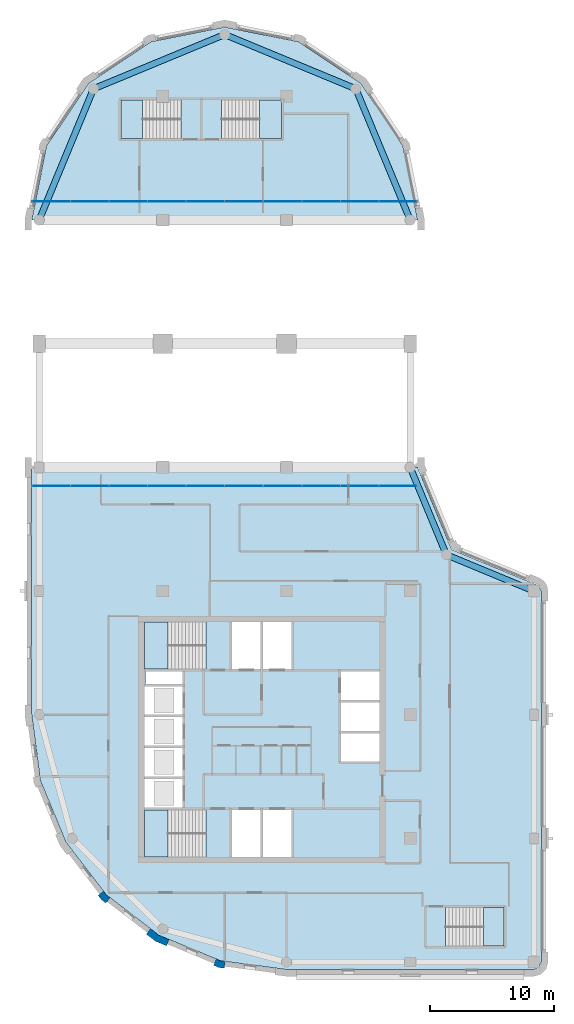
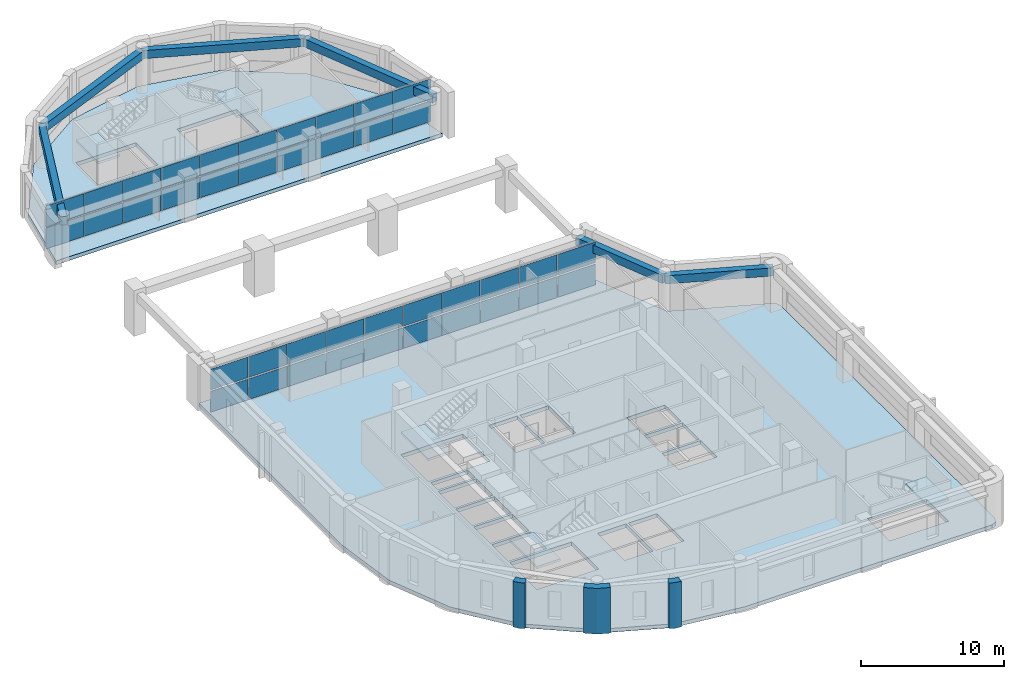
# One storey, part 4 of 11: 40 plates, 7 slabs, 6 beams, 3 walls, 7 elements without a shape of their own.
"""IFC4 building model written with IfcOpenShell, lengths in metres."""

from ifc_helpers import new_model, si_unit, direction, frame, origin, origin_2d, place, context, subcontext, project, spatial, polyline, rectangle, outline, extrude, material, layer, layer_set, material_profile, profile_set, type_object, element, aggregate, save


model = new_model("IFC4")

# Units and contexts
model_context = context("Model", 3, precision=1e-05, world=origin(), true_north=direction((0.0, 1.0)))
body_context = subcontext(model_context, "Body", "Model", "MODEL_VIEW")
ifc_project = project(units=[si_unit("LENGTHUNIT", "METRE"), si_unit("AREAUNIT", "SQUARE_METRE"), si_unit("VOLUMEUNIT", "CUBIC_METRE"), si_unit("PLANEANGLEUNIT", "RADIAN"), si_unit("MASSUNIT", "GRAM", prefix="KILO")], contexts=[model_context])

# Site, building, storey
site_placement = place(None, origin())
site = spatial("IfcSite", under=ifc_project, at=site_placement, CompositionType="ELEMENT")
building_placement = place(site_placement, origin())
building = spatial("IfcBuilding", under=site, at=building_placement, Name="Qaws Garden Tower", CompositionType="ELEMENT")
storey_placement = place(building_placement, frame((0.0, 0.0, 321.60009765625)))
storey = spatial("IfcBuildingStorey", under=building, at=storey_placement, Name="L78", CompositionType="ELEMENT", Elevation=321.60009765625)

# Beams
ifc_material_1 = material(Name="Concrete C45", Category="concrete")
ifc_material_profile = material_profile(ifc_material_1, rectangle(XDim=0.5, YDim=0.699951171875, at=origin_2d()), Name="RC 500x700")
ifc_profile_set = profile_set([ifc_material_profile], Name="Concrete C45")
beam_type = type_object("IfcBeamType", Name="Spandrel beam RC 500x700 C45", PredefinedType="SPANDREL", material=ifc_profile_set)
for number, where, z_axis, x_axis, name in (
    (1, (40.0, 30.0, 3.22998046875), (-0.923878037141, 0.382687042488, 0.0), (-0.382687042488, -0.923878037141, 0.0), "Spandrel beam L78-006"),
    (2, (32.928955078125, 32.928955078125, 3.22998046875), (-0.382687042488, 0.923878037141, 0.0), (-0.923878037141, -0.382687042488, 0.0), "Spandrel beam L78-007"),
):
    element("IfcBeam", number, at=place(storey_placement, frame(where, z_axis=z_axis, x_axis=x_axis)), inside=storey, type_object=beam_type, Name=name, PredefinedType="SPANDREL", context=body_context, shape_type="SweptSolid", body=[
        extrude(rectangle(XDim=0.5, YDim=0.699951171875, at=origin_2d()), origin(), (0.0, 0.0, 1.0), 7.653564453125),
    ])
for number, where, z_axis, x_axis, name in (
    (3, (30.0, 60.0, 3.22998046875), (-0.382674207535, 0.923883353507, 0.0), (-0.923883353507, -0.382674207535, 0.0), "Spandrel beam L78-009"),
    (4, (25.606689453125, 70.606689453125, 3.22998046875), (-0.923883353507, 0.382674207535, 0.0), (-0.382674207535, -0.923883353507, 0.0), "Spandrel beam L78-010"),
    (5, (15.0, 75.0, 3.22998046875), (-0.923883353507, -0.382674207535, 0.0), (0.382674207535, -0.923883353507, 0.0), "Spandrel beam L78-011"),
    (6, (4.393310546875, 70.606689453125, 3.22998046875), (-0.382674207535, -0.923883353507, 0.0), (0.923883353507, -0.382674207535, 0.0), "Spandrel beam L78-012"),
):
    element("IfcBeam", number, at=place(storey_placement, frame(where, z_axis=z_axis, x_axis=x_axis)), inside=storey, type_object=beam_type, Name=name, PredefinedType="SPANDREL", context=body_context, shape_type="SweptSolid", body=[
        extrude(rectangle(XDim=0.5, YDim=0.699951171875, at=origin_2d()), origin(), (0.0, 0.0, 1.0), 11.48046875),
    ])

# Curtain wall, plates
ifc_material_2 = material(Name="Anodised aluminium curtain wall frame", Category="aluminium")
ifc_layer_1 = layer(ifc_material_2, 0.159912109375)
ifc_layer_set_1 = layer_set([ifc_layer_1], Name="Anodised aluminium curtain wall frame")
curtain_wall_type = type_object("IfcCurtainWallType", Name="CW5 portal screen curtain wall", PredefinedType="NOTDEFINED", material=ifc_layer_set_1)
placement_1 = place(storey_placement, origin())
curtain_wall_1 = element("IfcCurtainWall", 7, at=placement_1, inside=storey, type_object=curtain_wall_type, Name="CW5 Portal screen 0", PredefinedType="NOTDEFINED")
ifc_material_3 = material(Name="Clear laminated glass", Category="glass")
ifc_layer_2 = layer(ifc_material_3, 0.031982421875)
ifc_layer_set_2 = layer_set([ifc_layer_2], Name="Clear laminated glass")
plate_type = type_object("IfcPlateType", Name="CW5 glass panel 32", PredefinedType="CURTAIN_PANEL", material=ifc_layer_set_2)
plate_1_placement = place(storey_placement, frame((0.972412109375, 38.5, 0.119873046875), z_axis=(0.0, 0.0, 1.0), x_axis=(1.0, 0.0, 0.0)))
plate_1 = element("IfcPlate", 8, at=plate_1_placement, type_object=plate_type, Name="CW5 panel 1.1", PredefinedType="CURTAIN_PANEL", context=body_context, shape_type="SweptSolid", body=[
    extrude(rectangle(XDim=3.044921875, YDim=0.031982421875, at=origin_2d()), origin(), (0.0, 0.0, 1.0), 1.77001953125),
])
plate_2_placement = place(storey_placement, frame((0.972412109375, 38.5, 2.010009765625), z_axis=(0.0, 0.0, 1.0), x_axis=(1.0, 0.0, 0.0)))
plate_2 = element("IfcPlate", 9, at=plate_2_placement, type_object=plate_type, Name="CW5 panel 1.2", PredefinedType="CURTAIN_PANEL", context=body_context, shape_type="SweptSolid", body=[
    extrude(rectangle(XDim=3.044921875, YDim=0.031982421875, at=origin_2d()), origin(), (0.0, 0.0, 1.0), 1.77001953125),
])
plate_3_placement = place(storey_placement, frame((4.080078125, 38.5, 0.119873046875), z_axis=(0.0, 0.0, 1.0), x_axis=(1.0, 0.0, 0.0)))
plate_3 = element("IfcPlate", 10, at=plate_3_placement, type_object=plate_type, Name="CW5 panel 2.1", PredefinedType="CURTAIN_PANEL", context=body_context, shape_type="SweptSolid", body=[
    extrude(rectangle(XDim=3.070068359375, YDim=0.031982421875, at=origin_2d()), origin(), (0.0, 0.0, 1.0), 1.77001953125),
])
plate_4_placement = place(storey_placement, frame((4.080078125, 38.5, 2.010009765625), z_axis=(0.0, 0.0, 1.0), x_axis=(1.0, 0.0, 0.0)))
plate_4 = element("IfcPlate", 11, at=plate_4_placement, type_object=plate_type, Name="CW5 panel 2.2", PredefinedType="CURTAIN_PANEL", context=body_context, shape_type="SweptSolid", body=[
    extrude(rectangle(XDim=3.070068359375, YDim=0.031982421875, at=origin_2d()), origin(), (0.0, 0.0, 1.0), 1.77001953125),
])
plate_5_placement = place(storey_placement, frame((7.199951171875, 38.5, 0.119873046875), z_axis=(0.0, 0.0, 1.0), x_axis=(1.0, 0.0, 0.0)))
plate_5 = element("IfcPlate", 12, at=plate_5_placement, type_object=plate_type, Name="CW5 panel 3.1", PredefinedType="CURTAIN_PANEL", context=body_context, shape_type="SweptSolid", body=[
    extrude(rectangle(XDim=3.070068359375, YDim=0.031982421875, at=origin_2d()), origin(), (0.0, 0.0, 1.0), 1.77001953125),
])
plate_6_placement = place(storey_placement, frame((7.199951171875, 38.5, 2.010009765625), z_axis=(0.0, 0.0, 1.0), x_axis=(1.0, 0.0, 0.0)))
plate_6 = element("IfcPlate", 13, at=plate_6_placement, type_object=plate_type, Name="CW5 panel 3.2", PredefinedType="CURTAIN_PANEL", context=body_context, shape_type="SweptSolid", body=[
    extrude(rectangle(XDim=3.070068359375, YDim=0.031982421875, at=origin_2d()), origin(), (0.0, 0.0, 1.0), 1.77001953125),
])
plate_7_placement = place(storey_placement, frame((10.320068359375, 38.5, 0.119873046875), z_axis=(0.0, 0.0, 1.0), x_axis=(1.0, 0.0, 0.0)))
plate_7 = element("IfcPlate", 14, at=plate_7_placement, type_object=plate_type, Name="CW5 panel 4.1", PredefinedType="CURTAIN_PANEL", context=body_context, shape_type="SweptSolid", body=[
    extrude(rectangle(XDim=3.070068359375, YDim=0.031982421875, at=origin_2d()), origin(), (0.0, 0.0, 1.0), 1.77001953125),
])
plate_8_placement = place(storey_placement, frame((10.320068359375, 38.5, 2.010009765625), z_axis=(0.0, 0.0, 1.0), x_axis=(1.0, 0.0, 0.0)))
plate_8 = element("IfcPlate", 15, at=plate_8_placement, type_object=plate_type, Name="CW5 panel 4.2", PredefinedType="CURTAIN_PANEL", context=body_context, shape_type="SweptSolid", body=[
    extrude(rectangle(XDim=3.070068359375, YDim=0.031982421875, at=origin_2d()), origin(), (0.0, 0.0, 1.0), 1.77001953125),
])
plate_9_placement = place(storey_placement, frame((13.43994140625, 38.5, 0.119873046875), z_axis=(0.0, 0.0, 1.0), x_axis=(1.0, 0.0, 0.0)))
plate_9 = element("IfcPlate", 16, at=plate_9_placement, type_object=plate_type, Name="CW5 panel 5.1", PredefinedType="CURTAIN_PANEL", context=body_context, shape_type="SweptSolid", body=[
    extrude(rectangle(XDim=3.070068359375, YDim=0.031982421875, at=origin_2d()), origin(), (0.0, 0.0, 1.0), 1.77001953125),
])
plate_10_placement = place(storey_placement, frame((13.43994140625, 38.5, 2.010009765625), z_axis=(0.0, 0.0, 1.0), x_axis=(1.0, 0.0, 0.0)))
plate_10 = element("IfcPlate", 17, at=plate_10_placement, type_object=plate_type, Name="CW5 panel 5.2", PredefinedType="CURTAIN_PANEL", context=body_context, shape_type="SweptSolid", body=[
    extrude(rectangle(XDim=3.070068359375, YDim=0.031982421875, at=origin_2d()), origin(), (0.0, 0.0, 1.0), 1.77001953125),
])
plate_11_placement = place(storey_placement, frame((16.56005859375, 38.5, 0.119873046875), z_axis=(0.0, 0.0, 1.0), x_axis=(1.0, 0.0, 0.0)))
plate_11 = element("IfcPlate", 18, at=plate_11_placement, type_object=plate_type, Name="CW5 panel 6.1", PredefinedType="CURTAIN_PANEL", context=body_context, shape_type="SweptSolid", body=[
    extrude(rectangle(XDim=3.070068359375, YDim=0.031982421875, at=origin_2d()), origin(), (0.0, 0.0, 1.0), 1.77001953125),
])
plate_12_placement = place(storey_placement, frame((16.56005859375, 38.5, 2.010009765625), z_axis=(0.0, 0.0, 1.0), x_axis=(1.0, 0.0, 0.0)))
plate_12 = element("IfcPlate", 19, at=plate_12_placement, type_object=plate_type, Name="CW5 panel 6.2", PredefinedType="CURTAIN_PANEL", context=body_context, shape_type="SweptSolid", body=[
    extrude(rectangle(XDim=3.070068359375, YDim=0.031982421875, at=origin_2d()), origin(), (0.0, 0.0, 1.0), 1.77001953125),
])
plate_13_placement = place(storey_placement, frame((19.679931640625, 38.5, 0.119873046875), z_axis=(0.0, 0.0, 1.0), x_axis=(1.0, 0.0, 0.0)))
plate_13 = element("IfcPlate", 20, at=plate_13_placement, type_object=plate_type, Name="CW5 panel 7.1", PredefinedType="CURTAIN_PANEL", context=body_context, shape_type="SweptSolid", body=[
    extrude(rectangle(XDim=3.070068359375, YDim=0.031982421875, at=origin_2d()), origin(), (0.0, 0.0, 1.0), 1.77001953125),
])
plate_14_placement = place(storey_placement, frame((19.679931640625, 38.5, 2.010009765625), z_axis=(0.0, 0.0, 1.0), x_axis=(1.0, 0.0, 0.0)))
plate_14 = element("IfcPlate", 21, at=plate_14_placement, type_object=plate_type, Name="CW5 panel 7.2", PredefinedType="CURTAIN_PANEL", context=body_context, shape_type="SweptSolid", body=[
    extrude(rectangle(XDim=3.070068359375, YDim=0.031982421875, at=origin_2d()), origin(), (0.0, 0.0, 1.0), 1.77001953125),
])
plate_15_placement = place(storey_placement, frame((22.800048828125, 38.5, 0.119873046875), z_axis=(0.0, 0.0, 1.0), x_axis=(1.0, 0.0, 0.0)))
plate_15 = element("IfcPlate", 22, at=plate_15_placement, type_object=plate_type, Name="CW5 panel 8.1", PredefinedType="CURTAIN_PANEL", context=body_context, shape_type="SweptSolid", body=[
    extrude(rectangle(XDim=3.070068359375, YDim=0.031982421875, at=origin_2d()), origin(), (0.0, 0.0, 1.0), 1.77001953125),
])
plate_16_placement = place(storey_placement, frame((22.800048828125, 38.5, 2.010009765625), z_axis=(0.0, 0.0, 1.0), x_axis=(1.0, 0.0, 0.0)))
plate_16 = element("IfcPlate", 23, at=plate_16_placement, type_object=plate_type, Name="CW5 panel 8.2", PredefinedType="CURTAIN_PANEL", context=body_context, shape_type="SweptSolid", body=[
    extrude(rectangle(XDim=3.070068359375, YDim=0.031982421875, at=origin_2d()), origin(), (0.0, 0.0, 1.0), 1.77001953125),
])
plate_17_placement = place(storey_placement, frame((25.919921875, 38.5, 0.119873046875), z_axis=(0.0, 0.0, 1.0), x_axis=(1.0, 0.0, 0.0)))
plate_17 = element("IfcPlate", 24, at=plate_17_placement, type_object=plate_type, Name="CW5 panel 9.1", PredefinedType="CURTAIN_PANEL", context=body_context, shape_type="SweptSolid", body=[
    extrude(rectangle(XDim=3.070068359375, YDim=0.031982421875, at=origin_2d()), origin(), (0.0, 0.0, 1.0), 1.77001953125),
])
plate_18_placement = place(storey_placement, frame((25.919921875, 38.5, 2.010009765625), z_axis=(0.0, 0.0, 1.0), x_axis=(1.0, 0.0, 0.0)))
plate_18 = element("IfcPlate", 25, at=plate_18_placement, type_object=plate_type, Name="CW5 panel 9.2", PredefinedType="CURTAIN_PANEL", context=body_context, shape_type="SweptSolid", body=[
    extrude(rectangle(XDim=3.070068359375, YDim=0.031982421875, at=origin_2d()), origin(), (0.0, 0.0, 1.0), 1.77001953125),
])
plate_19_placement = place(storey_placement, frame((29.027587890625, 38.5, 0.119873046875), z_axis=(0.0, 0.0, 1.0), x_axis=(1.0, 0.0, 0.0)))
plate_19 = element("IfcPlate", 26, at=plate_19_placement, type_object=plate_type, Name="CW5 panel 10.1", PredefinedType="CURTAIN_PANEL", context=body_context, shape_type="SweptSolid", body=[
    extrude(rectangle(XDim=3.044921875, YDim=0.031982421875, at=origin_2d()), origin(), (0.0, 0.0, 1.0), 1.77001953125),
])
plate_20_placement = place(storey_placement, frame((29.027587890625, 38.5, 2.010009765625), z_axis=(0.0, 0.0, 1.0), x_axis=(1.0, 0.0, 0.0)))
plate_20 = element("IfcPlate", 27, at=plate_20_placement, type_object=plate_type, Name="CW5 panel 10.2", PredefinedType="CURTAIN_PANEL", context=body_context, shape_type="SweptSolid", body=[
    extrude(rectangle(XDim=3.044921875, YDim=0.031982421875, at=origin_2d()), origin(), (0.0, 0.0, 1.0), 1.77001953125),
])
aggregate(curtain_wall_1, [plate_1, plate_2, plate_3, plate_4, plate_5, plate_6, plate_7, plate_8, plate_9, plate_10, plate_11, plate_12, plate_13, plate_14, plate_15, plate_16, plate_17, plate_18, plate_19, plate_20])

curtain_wall_2 = element("IfcCurtainWall", 28, at=placement_1, inside=storey, type_object=curtain_wall_type, Name="CW5 Portal screen 1", PredefinedType="NOTDEFINED")
plate_21_placement = place(storey_placement, frame((0.972412109375, 61.5, 0.119873046875), z_axis=(0.0, 0.0, 1.0), x_axis=(1.0, 0.0, 0.0)))
plate_21 = element("IfcPlate", 29, at=plate_21_placement, type_object=plate_type, Name="CW5 panel 1.1", PredefinedType="CURTAIN_PANEL", context=body_context, shape_type="SweptSolid", body=[
    extrude(rectangle(XDim=3.044921875, YDim=0.031982421875, at=origin_2d()), origin(), (0.0, 0.0, 1.0), 1.77001953125),
])
plate_22_placement = place(storey_placement, frame((0.972412109375, 61.5, 2.010009765625), z_axis=(0.0, 0.0, 1.0), x_axis=(1.0, 0.0, 0.0)))
plate_22 = element("IfcPlate", 30, at=plate_22_placement, type_object=plate_type, Name="CW5 panel 1.2", PredefinedType="CURTAIN_PANEL", context=body_context, shape_type="SweptSolid", body=[
    extrude(rectangle(XDim=3.044921875, YDim=0.031982421875, at=origin_2d()), origin(), (0.0, 0.0, 1.0), 1.77001953125),
])
plate_23_placement = place(storey_placement, frame((4.080078125, 61.5, 0.119873046875), z_axis=(0.0, 0.0, 1.0), x_axis=(1.0, 0.0, 0.0)))
plate_23 = element("IfcPlate", 31, at=plate_23_placement, type_object=plate_type, Name="CW5 panel 2.1", PredefinedType="CURTAIN_PANEL", context=body_context, shape_type="SweptSolid", body=[
    extrude(rectangle(XDim=3.070068359375, YDim=0.031982421875, at=origin_2d()), origin(), (0.0, 0.0, 1.0), 1.77001953125),
])
plate_24_placement = place(storey_placement, frame((4.080078125, 61.5, 2.010009765625), z_axis=(0.0, 0.0, 1.0), x_axis=(1.0, 0.0, 0.0)))
plate_24 = element("IfcPlate", 32, at=plate_24_placement, type_object=plate_type, Name="CW5 panel 2.2", PredefinedType="CURTAIN_PANEL", context=body_context, shape_type="SweptSolid", body=[
    extrude(rectangle(XDim=3.070068359375, YDim=0.031982421875, at=origin_2d()), origin(), (0.0, 0.0, 1.0), 1.77001953125),
])
plate_25_placement = place(storey_placement, frame((7.199951171875, 61.5, 0.119873046875), z_axis=(0.0, 0.0, 1.0), x_axis=(1.0, 0.0, 0.0)))
plate_25 = element("IfcPlate", 33, at=plate_25_placement, type_object=plate_type, Name="CW5 panel 3.1", PredefinedType="CURTAIN_PANEL", context=body_context, shape_type="SweptSolid", body=[
    extrude(rectangle(XDim=3.070068359375, YDim=0.031982421875, at=origin_2d()), origin(), (0.0, 0.0, 1.0), 1.77001953125),
])
plate_26_placement = place(storey_placement, frame((7.199951171875, 61.5, 2.010009765625), z_axis=(0.0, 0.0, 1.0), x_axis=(1.0, 0.0, 0.0)))
plate_26 = element("IfcPlate", 34, at=plate_26_placement, type_object=plate_type, Name="CW5 panel 3.2", PredefinedType="CURTAIN_PANEL", context=body_context, shape_type="SweptSolid", body=[
    extrude(rectangle(XDim=3.070068359375, YDim=0.031982421875, at=origin_2d()), origin(), (0.0, 0.0, 1.0), 1.77001953125),
])
plate_27_placement = place(storey_placement, frame((10.320068359375, 61.5, 0.119873046875), z_axis=(0.0, 0.0, 1.0), x_axis=(1.0, 0.0, 0.0)))
plate_27 = element("IfcPlate", 35, at=plate_27_placement, type_object=plate_type, Name="CW5 panel 4.1", PredefinedType="CURTAIN_PANEL", context=body_context, shape_type="SweptSolid", body=[
    extrude(rectangle(XDim=3.070068359375, YDim=0.031982421875, at=origin_2d()), origin(), (0.0, 0.0, 1.0), 1.77001953125),
])
plate_28_placement = place(storey_placement, frame((10.320068359375, 61.5, 2.010009765625), z_axis=(0.0, 0.0, 1.0), x_axis=(1.0, 0.0, 0.0)))
plate_28 = element("IfcPlate", 36, at=plate_28_placement, type_object=plate_type, Name="CW5 panel 4.2", PredefinedType="CURTAIN_PANEL", context=body_context, shape_type="SweptSolid", body=[
    extrude(rectangle(XDim=3.070068359375, YDim=0.031982421875, at=origin_2d()), origin(), (0.0, 0.0, 1.0), 1.77001953125),
])
plate_29_placement = place(storey_placement, frame((13.43994140625, 61.5, 0.119873046875), z_axis=(0.0, 0.0, 1.0), x_axis=(1.0, 0.0, 0.0)))
plate_29 = element("IfcPlate", 37, at=plate_29_placement, type_object=plate_type, Name="CW5 panel 5.1", PredefinedType="CURTAIN_PANEL", context=body_context, shape_type="SweptSolid", body=[
    extrude(rectangle(XDim=3.070068359375, YDim=0.031982421875, at=origin_2d()), origin(), (0.0, 0.0, 1.0), 1.77001953125),
])
plate_30_placement = place(storey_placement, frame((13.43994140625, 61.5, 2.010009765625), z_axis=(0.0, 0.0, 1.0), x_axis=(1.0, 0.0, 0.0)))
plate_30 = element("IfcPlate", 38, at=plate_30_placement, type_object=plate_type, Name="CW5 panel 5.2", PredefinedType="CURTAIN_PANEL", context=body_context, shape_type="SweptSolid", body=[
    extrude(rectangle(XDim=3.070068359375, YDim=0.031982421875, at=origin_2d()), origin(), (0.0, 0.0, 1.0), 1.77001953125),
])
plate_31_placement = place(storey_placement, frame((16.56005859375, 61.5, 0.119873046875), z_axis=(0.0, 0.0, 1.0), x_axis=(1.0, 0.0, 0.0)))
plate_31 = element("IfcPlate", 39, at=plate_31_placement, type_object=plate_type, Name="CW5 panel 6.1", PredefinedType="CURTAIN_PANEL", context=body_context, shape_type="SweptSolid", body=[
    extrude(rectangle(XDim=3.070068359375, YDim=0.031982421875, at=origin_2d()), origin(), (0.0, 0.0, 1.0), 1.77001953125),
])
plate_32_placement = place(storey_placement, frame((16.56005859375, 61.5, 2.010009765625), z_axis=(0.0, 0.0, 1.0), x_axis=(1.0, 0.0, 0.0)))
plate_32 = element("IfcPlate", 40, at=plate_32_placement, type_object=plate_type, Name="CW5 panel 6.2", PredefinedType="CURTAIN_PANEL", context=body_context, shape_type="SweptSolid", body=[
    extrude(rectangle(XDim=3.070068359375, YDim=0.031982421875, at=origin_2d()), origin(), (0.0, 0.0, 1.0), 1.77001953125),
])
plate_33_placement = place(storey_placement, frame((19.679931640625, 61.5, 0.119873046875), z_axis=(0.0, 0.0, 1.0), x_axis=(1.0, 0.0, 0.0)))
plate_33 = element("IfcPlate", 41, at=plate_33_placement, type_object=plate_type, Name="CW5 panel 7.1", PredefinedType="CURTAIN_PANEL", context=body_context, shape_type="SweptSolid", body=[
    extrude(rectangle(XDim=3.070068359375, YDim=0.031982421875, at=origin_2d()), origin(), (0.0, 0.0, 1.0), 1.77001953125),
])
plate_34_placement = place(storey_placement, frame((19.679931640625, 61.5, 2.010009765625), z_axis=(0.0, 0.0, 1.0), x_axis=(1.0, 0.0, 0.0)))
plate_34 = element("IfcPlate", 42, at=plate_34_placement, type_object=plate_type, Name="CW5 panel 7.2", PredefinedType="CURTAIN_PANEL", context=body_context, shape_type="SweptSolid", body=[
    extrude(rectangle(XDim=3.070068359375, YDim=0.031982421875, at=origin_2d()), origin(), (0.0, 0.0, 1.0), 1.77001953125),
])
plate_35_placement = place(storey_placement, frame((22.800048828125, 61.5, 0.119873046875), z_axis=(0.0, 0.0, 1.0), x_axis=(1.0, 0.0, 0.0)))
plate_35 = element("IfcPlate", 43, at=plate_35_placement, type_object=plate_type, Name="CW5 panel 8.1", PredefinedType="CURTAIN_PANEL", context=body_context, shape_type="SweptSolid", body=[
    extrude(rectangle(XDim=3.070068359375, YDim=0.031982421875, at=origin_2d()), origin(), (0.0, 0.0, 1.0), 1.77001953125),
])
plate_36_placement = place(storey_placement, frame((22.800048828125, 61.5, 2.010009765625), z_axis=(0.0, 0.0, 1.0), x_axis=(1.0, 0.0, 0.0)))
plate_36 = element("IfcPlate", 44, at=plate_36_placement, type_object=plate_type, Name="CW5 panel 8.2", PredefinedType="CURTAIN_PANEL", context=body_context, shape_type="SweptSolid", body=[
    extrude(rectangle(XDim=3.070068359375, YDim=0.031982421875, at=origin_2d()), origin(), (0.0, 0.0, 1.0), 1.77001953125),
])
plate_37_placement = place(storey_placement, frame((25.919921875, 61.5, 0.119873046875), z_axis=(0.0, 0.0, 1.0), x_axis=(1.0, 0.0, 0.0)))
plate_37 = element("IfcPlate", 45, at=plate_37_placement, type_object=plate_type, Name="CW5 panel 9.1", PredefinedType="CURTAIN_PANEL", context=body_context, shape_type="SweptSolid", body=[
    extrude(rectangle(XDim=3.070068359375, YDim=0.031982421875, at=origin_2d()), origin(), (0.0, 0.0, 1.0), 1.77001953125),
])
plate_38_placement = place(storey_placement, frame((25.919921875, 61.5, 2.010009765625), z_axis=(0.0, 0.0, 1.0), x_axis=(1.0, 0.0, 0.0)))
plate_38 = element("IfcPlate", 46, at=plate_38_placement, type_object=plate_type, Name="CW5 panel 9.2", PredefinedType="CURTAIN_PANEL", context=body_context, shape_type="SweptSolid", body=[
    extrude(rectangle(XDim=3.070068359375, YDim=0.031982421875, at=origin_2d()), origin(), (0.0, 0.0, 1.0), 1.77001953125),
])
plate_39_placement = place(storey_placement, frame((29.027587890625, 61.5, 0.119873046875), z_axis=(0.0, 0.0, 1.0), x_axis=(1.0, 0.0, 0.0)))
plate_39 = element("IfcPlate", 47, at=plate_39_placement, type_object=plate_type, Name="CW5 panel 10.1", PredefinedType="CURTAIN_PANEL", context=body_context, shape_type="SweptSolid", body=[
    extrude(rectangle(XDim=3.044921875, YDim=0.031982421875, at=origin_2d()), origin(), (0.0, 0.0, 1.0), 1.77001953125),
])
plate_40_placement = place(storey_placement, frame((29.027587890625, 61.5, 2.010009765625), z_axis=(0.0, 0.0, 1.0), x_axis=(1.0, 0.0, 0.0)))
plate_40 = element("IfcPlate", 48, at=plate_40_placement, type_object=plate_type, Name="CW5 panel 10.2", PredefinedType="CURTAIN_PANEL", context=body_context, shape_type="SweptSolid", body=[
    extrude(rectangle(XDim=3.044921875, YDim=0.031982421875, at=origin_2d()), origin(), (0.0, 0.0, 1.0), 1.77001953125),
])
aggregate(curtain_wall_2, [plate_21, plate_22, plate_23, plate_24, plate_25, plate_26, plate_27, plate_28, plate_29, plate_30, plate_31, plate_32, plate_33, plate_34, plate_35, plate_36, plate_37, plate_38, plate_39, plate_40])

# Slabs
ifc_material_4 = material(Name="Concrete C40", Category="concrete")
ifc_layer_3 = layer(ifc_material_4, 0.320068359375)
ifc_layer_set_3 = layer_set([ifc_layer_3], Name="Concrete C40")
slab_type_1 = type_object("IfcSlabType", Name="Floor slab 320 C40", PredefinedType="FLOOR", material=ifc_layer_set_3)
placement_2 = place(storey_placement, frame((0.0, 0.0, -0.320068359375)))
element("IfcSlab", 49, at=placement_2, inside=storey, type_object=slab_type_1, Name="Floor slab L78 part 1", PredefinedType="FLOOR", context=body_context, shape_type="SweptSolid", body=[
    extrude(outline(polyline([(-0.60009765625, 20.0), (-0.60009765625, 30.60009765625), (-0.60009765625, 40.0), (30.60009765625, 40.0), (33.353271484375, 33.353271484375), (40.0, 30.60009765625), (40.42431640625, 30.42431640625), (40.60009765625, 30.0), (40.60009765625, 0.0), (40.42431640625, -0.42431640625), (40.0, -0.60009765625), (30.60009765625, -0.60009765625), (20.0, -0.60009765625), (14.668212890625, 0.101806640625), (9.699951171875, 2.159912109375), (5.43359375, 5.43359375), (2.159912109375, 9.699951171875), (0.101806640625, 14.668212890625), (-0.60009765625, 20.0)]), holes=[polyline([(13.49951171875, 12.300048828125), (8.5, 12.300048828125), (8.5, 8.5), (13.49951171875, 8.5), (13.49951171875, 12.300048828125)]), polyline([(17.89990234375, 12.300048828125), (15.60009765625, 12.300048828125), (15.60009765625, 8.5), (17.89990234375, 8.5), (17.89990234375, 12.300048828125)]), polyline([(11.60009765625, 14.800048828125), (8.5, 14.800048828125), (8.5, 12.5), (11.60009765625, 12.5), (11.60009765625, 14.800048828125)]), polyline([(11.60009765625, 17.300048828125), (8.5, 17.300048828125), (8.5, 15.0), (11.60009765625, 15.0), (11.60009765625, 17.300048828125)]), polyline([(11.60009765625, 19.800048828125), (8.5, 19.800048828125), (8.5, 17.5), (11.60009765625, 17.5), (11.60009765625, 19.800048828125)]), polyline([(11.60009765625, 22.300048828125), (8.5, 22.300048828125), (8.5, 20.0), (11.60009765625, 20.0), (11.60009765625, 22.300048828125)]), polyline([(11.60009765625, 23.5), (8.60009765625, 23.5), (8.60009765625, 22.5), (11.60009765625, 22.5), (11.60009765625, 23.5)]), polyline([(13.49951171875, 27.5), (8.5, 27.5), (8.5, 23.699951171875), (13.49951171875, 23.699951171875), (13.49951171875, 27.5)]), polyline([(37.60009765625, 4.39990234375), (32.8505859375, 4.39990234375), (32.8505859375, 1.300048828125), (37.60009765625, 1.300048828125), (37.60009765625, 4.39990234375)]), polyline([(20.39990234375, 12.300048828125), (18.10009765625, 12.300048828125), (18.10009765625, 8.5), (20.39990234375, 8.5), (20.39990234375, 12.300048828125)]), polyline([(27.5, 18.5), (24.39990234375, 18.5), (24.39990234375, 16.199951171875), (27.5, 16.199951171875), (27.5, 18.5)]), polyline([(27.5, 21.0), (24.39990234375, 21.0), (24.39990234375, 18.699951171875), (27.5, 18.699951171875), (27.5, 21.0)]), polyline([(27.5, 23.5), (24.39990234375, 23.5), (24.39990234375, 21.199951171875), (27.5, 21.199951171875), (27.5, 23.5)]), polyline([(17.89990234375, 27.5), (15.60009765625, 27.5), (15.60009765625, 23.699951171875), (17.89990234375, 23.699951171875), (17.89990234375, 27.5)]), polyline([(20.39990234375, 23.699951171875), (20.39990234375, 27.5), (18.10009765625, 27.5), (18.10009765625, 23.699951171875), (20.39990234375, 23.699951171875)])]), origin(), (0.0, 0.0, 1.0), 0.320068359375),
])
element("IfcSlab", 50, at=placement_2, inside=storey, type_object=slab_type_1, Name="Floor slab L78 part 2", PredefinedType="FLOOR", context=body_context, shape_type="SweptSolid", body=[
    extrude(outline(polyline([(3.968994140625, 71.031005859375), (9.030029296875, 74.41259765625), (15.0, 75.60009765625), (20.969970703125, 74.41259765625), (26.031005859375, 71.031005859375), (29.41259765625, 65.969970703125), (30.60009765625, 60.0), (-0.60009765625, 60.0), (0.58740234375, 65.969970703125), (3.968994140625, 71.031005859375)]), holes=[polyline([(11.449462890625, 69.699951171875), (6.60009765625, 69.699951171875), (6.60009765625, 66.60009765625), (11.449462890625, 66.60009765625), (11.449462890625, 69.699951171875)]), polyline([(19.60009765625, 66.60009765625), (19.60009765625, 69.699951171875), (14.75048828125, 69.699951171875), (14.75048828125, 66.60009765625), (19.60009765625, 66.60009765625)])]), origin(), (0.0, 0.0, 1.0), 0.320068359375),
])

# Stair, slab
ifc_material_5 = material(Name="Concrete C40", Category="concrete")
stair_type_1 = type_object("IfcStairType", Name="Exit stair 1500", PredefinedType="HALF_TURN_STAIR", material=ifc_material_5)
stair_1 = element("IfcStair", 51, at=placement_1, inside=storey, type_object=stair_type_1, Name="Stair 1", PredefinedType="HALF_TURN_STAIR")
ifc_material_6 = material(Name="Concrete C40", Category="concrete")
ifc_layer_4 = layer(ifc_material_6, 0.199951171875)
ifc_layer_set_4 = layer_set([ifc_layer_4], Name="Concrete C40")
slab_type_2 = type_object("IfcSlabType", Name="Stair landing 200", PredefinedType="LANDING", material=ifc_layer_set_4)
placement_3 = place(storey_placement, frame((0.0, 0.0, 1.75)))
slab_3 = element("IfcSlab", 52, at=placement_3, type_object=slab_type_2, Name="ST1 landing 1", PredefinedType="LANDING", context=body_context, shape_type="SweptSolid", body=[
    extrude(outline(polyline([(8.5, 8.5), (10.419921875, 8.5), (10.419921875, 12.300048828125), (8.5, 12.300048828125), (8.5, 8.5)])), origin(), (0.0, 0.0, 1.0), 0.199951171875),
])
aggregate(stair_1, [slab_3])

stair_2 = element("IfcStair", 53, at=placement_1, inside=storey, type_object=stair_type_1, Name="Stair 4", PredefinedType="HALF_TURN_STAIR")
slab_4 = element("IfcSlab", 54, at=placement_3, type_object=slab_type_2, Name="ST4 landing 1", PredefinedType="LANDING", context=body_context, shape_type="SweptSolid", body=[
    extrude(outline(polyline([(8.5, 23.699951171875), (10.419921875, 23.699951171875), (10.419921875, 27.5), (8.5, 27.5), (8.5, 23.699951171875)])), origin(), (0.0, 0.0, 1.0), 0.199951171875),
])
aggregate(stair_2, [slab_4])

ifc_material_7 = material(Name="Concrete C40", Category="concrete")
stair_type_2 = type_object("IfcStairType", Name="Exit stair 1350", PredefinedType="HALF_TURN_STAIR", material=ifc_material_7)
stair_3 = element("IfcStair", 55, at=placement_1, inside=storey, type_object=stair_type_2, Name="Stair 5", PredefinedType="HALF_TURN_STAIR")
slab_5 = element("IfcSlab", 56, at=placement_3, type_object=slab_type_2, Name="ST5 landing 1", PredefinedType="LANDING", context=body_context, shape_type="SweptSolid", body=[
    extrude(outline(polyline([(35.929931640625, 1.300048828125), (37.60009765625, 1.300048828125), (37.60009765625, 4.39990234375), (35.929931640625, 4.39990234375), (35.929931640625, 1.300048828125)])), origin(), (0.0, 0.0, 1.0), 0.199951171875),
])
aggregate(stair_3, [slab_5])

stair_4 = element("IfcStair", 57, at=placement_1, inside=storey, type_object=stair_type_2, Name="Stair 6", PredefinedType="HALF_TURN_STAIR")
slab_6 = element("IfcSlab", 58, at=placement_3, type_object=slab_type_2, Name="ST6 landing 1", PredefinedType="LANDING", context=body_context, shape_type="SweptSolid", body=[
    extrude(outline(polyline([(6.60009765625, 66.60009765625), (8.3701171875, 66.60009765625), (8.3701171875, 69.699951171875), (6.60009765625, 69.699951171875), (6.60009765625, 66.60009765625)])), origin(), (0.0, 0.0, 1.0), 0.199951171875),
])
aggregate(stair_4, [slab_6])

stair_5 = element("IfcStair", 59, at=placement_1, inside=storey, type_object=stair_type_2, Name="Stair 7", PredefinedType="HALF_TURN_STAIR")
slab_7 = element("IfcSlab", 60, at=placement_3, type_object=slab_type_2, Name="ST7 landing 1", PredefinedType="LANDING", context=body_context, shape_type="SweptSolid", body=[
    extrude(outline(polyline([(17.830078125, 66.60009765625), (19.60009765625, 66.60009765625), (19.60009765625, 69.699951171875), (17.830078125, 69.699951171875), (17.830078125, 66.60009765625)])), origin(), (0.0, 0.0, 1.0), 0.199951171875),
])
aggregate(stair_5, [slab_7])

# Walls
ifc_material_8 = material(Name="Clay facing brick masonry", Category="masonry")
ifc_layer_5 = layer(ifc_material_8, 0.550048828125)
ifc_layer_set_5 = layer_set([ifc_layer_5], Name="Clay facing brick masonry")
wall_type_1 = type_object("IfcWallType", Name="Brick kink pier 550 x 600", PredefinedType="SOLIDWALL", material=ifc_layer_set_5)
element("IfcWall", 61, at=placement_1, inside=storey, type_object=wall_type_1, Name="E-L78-pier-24", PredefinedType="SOLIDWALL", context=body_context, shape_type="SweptSolid", body=[
    extrude(outline(polyline([(4.8818359375, 5.487060546875), (4.762939453125, 5.395751953125), (5.03759765625, 5.03759765625), (5.395751953125, 4.762939453125), (5.487060546875, 4.8818359375), (5.730712890625, 5.19921875), (5.429931640625, 5.429931640625), (5.19921875, 5.730712890625), (4.8818359375, 5.487060546875)])), origin(), (0.0, 0.0, 1.0), 3.89990234375),
])
element("IfcWall", 62, at=placement_1, inside=storey, type_object=wall_type_1, Name="E-L78-pier-26", PredefinedType="SOLIDWALL", context=body_context, shape_type="SweptSolid", body=[
    extrude(outline(polyline([(14.163818359375, -0.127685546875), (14.1064453125, -0.26611328125), (14.5234375, -0.43896484375), (14.970947265625, -0.497802734375), (14.990478515625, -0.34912109375), (15.042724609375, 0.04736328125), (14.6669921875, 0.096923828125), (14.31689453125, 0.241943359375), (14.163818359375, -0.127685546875)])), origin(), (0.0, 0.0, 1.0), 3.89990234375),
])
ifc_material_9 = material(Name="Clay facing brick masonry", Category="masonry")
ifc_layer_6 = layer(ifc_material_9, 0.550048828125)
ifc_layer_set_6 = layer_set([ifc_layer_6], Name="Clay facing brick masonry")
wall_type_2 = type_object("IfcWallType", Name="Brick pier 550 x 1600", PredefinedType="SOLIDWALL", material=ifc_layer_set_6)
element("IfcWall", 63, at=placement_1, inside=storey, type_object=wall_type_2, Name="E-L78-pier-25", PredefinedType="SOLIDWALL", context=body_context, shape_type="SweptSolid", body=[
    extrude(outline(polyline([(8.756591796875, 2.373046875), (8.665283203125, 2.254150390625), (9.419921875, 1.675048828125), (10.299072265625, 1.310791015625), (10.3564453125, 1.449462890625), (10.509521484375, 1.819091796875), (9.697509765625, 2.1552734375), (9.0, 2.6904296875), (8.756591796875, 2.373046875)])), origin(), (0.0, 0.0, 1.0), 3.89990234375),
])

save(model, "model.ifc")
